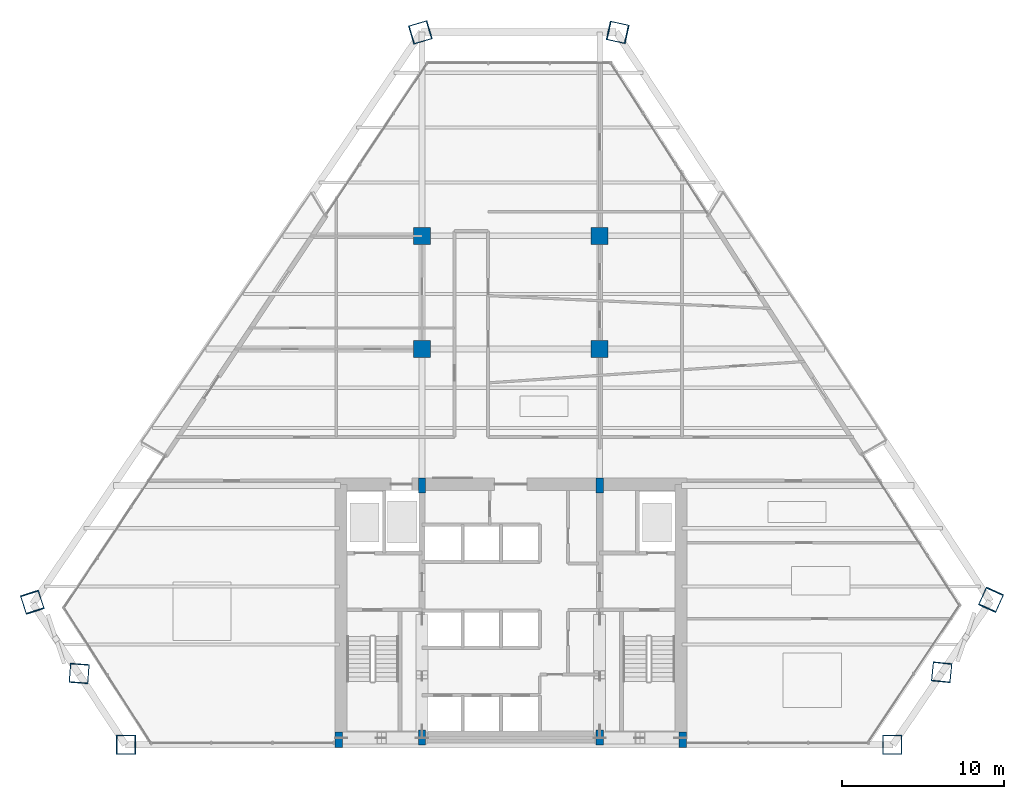
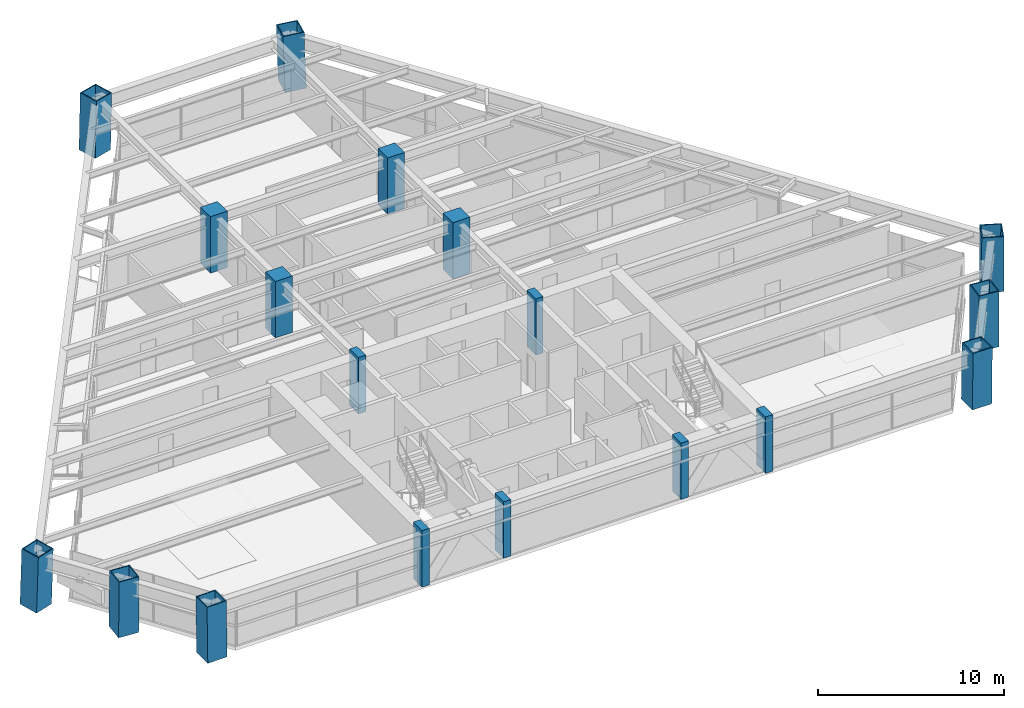
# One storey, part 1 of 15: 18 columns.
"""IFC4 building model written with IfcOpenShell, lengths in metres."""

from ifc_helpers import new_model, si_unit, direction, frame, origin, origin_2d, place, context, subcontext, project, spatial, rectangle, hollow_rectangle, extrude, source, transform, mapped, material, material_profile, profile_set, type_object, type_shapes, element, save


model = new_model("IFC4")

# Units and contexts
model_context = context("Model", 3, precision=1e-05, world=origin(), true_north=direction((0.0, 1.0)))
body_context = subcontext(model_context, "Body", "Model", "MODEL_VIEW")
ifc_project = project(units=[si_unit("LENGTHUNIT", "METRE"), si_unit("AREAUNIT", "SQUARE_METRE"), si_unit("VOLUMEUNIT", "CUBIC_METRE"), si_unit("PLANEANGLEUNIT", "RADIAN"), si_unit("MASSUNIT", "GRAM", prefix="KILO")], contexts=[model_context])

# Site, building, storey
site_placement = place(None, origin())
site = spatial("IfcSite", under=ifc_project, at=site_placement, CompositionType="ELEMENT")
building_placement = place(site_placement, origin())
building = spatial("IfcBuilding", under=site, at=building_placement, Name="Varnakhor Terracotta Tower", CompositionType="ELEMENT")
storey_placement = place(building_placement, frame((0.0, 0.0, 109.89990234375)))
storey = spatial("IfcBuildingStorey", under=building, at=storey_placement, Name="L27", CompositionType="ELEMENT", Elevation=109.89990234375)

# Columns
ifc_material_1 = material(Name="Concrete C50/60", Category="concrete")
ifc_material_profile_1 = material_profile(ifc_material_1, rectangle(XDim=0.449951171875, YDim=0.949951171875, at=origin_2d()), Name="RC PILASTER 950x450")
ifc_profile_set_1 = profile_set([ifc_material_profile_1], Name="Concrete C50/60")
column_type_1 = type_object("IfcColumnType", Name="COL-PIL-950x450", PredefinedType="PILASTER", material=ifc_profile_set_1)
shared_shape_1 = source(origin(), body_context, "Body", "SweptSolid", [
    extrude(rectangle(XDim=0.449951171875, YDim=0.949951171875, at=origin_2d()), origin(), (0.0, 0.0, 1.0), 3.7001953125),
])
for number, where, z_axis, x_axis, name in (
    (1, (-10.64990234375, 0.300048828125, 0.0), (0.0, 0.0, 1.0), (1.0, 0.0, 0.0), "L27 Core Pilaster CP1"),
    (2, (-5.5, 0.449951171875, 0.0), (0.0, 0.0, 1.0), (1.0, 0.0, 0.0), "L27 Core Pilaster CP2"),
    (3, (5.5, 0.449951171875, 0.0), (0.0, 0.0, 1.0), (1.0, 0.0, 0.0), "L27 Core Pilaster CP3"),
    (4, (10.64990234375, 0.300048828125, 0.0), (0.0, 0.0, 1.0), (1.0, 0.0, 0.0), "L27 Core Pilaster CP4"),
    (5, (-5.5, 16.050048828125, 0.0), (0.0, 0.0, 1.0), (1.0, 0.0, 0.0), "L27 Core Pilaster CP5"),
    (6, (5.5, 16.050048828125, 0.0), (0.0, 0.0, 1.0), (1.0, 0.0, 0.0), "L27 Core Pilaster CP6"),
):
    element("IfcColumn", number, at=place(storey_placement, frame(where, z_axis=z_axis, x_axis=x_axis)), inside=storey, type_object=column_type_1, Name=name, PredefinedType="PILASTER", context=body_context, shape_type="MappedRepresentation", body=[
        mapped(shared_shape_1, transform((0.0, 0.0, 0.0), scale=1.0)),
    ])
ifc_material_2 = material(Name="Concrete C60/75", Category="concrete")
ifc_material_profile_2 = material_profile(ifc_material_2, rectangle(XDim=1.050048828125, YDim=1.050048828125, at=origin_2d()), Name="RC 1050x1050")
ifc_profile_set_2 = profile_set([ifc_material_profile_2], Name="Concrete C60/75")
column_type_2 = type_object("IfcColumnType", Name="COL-RC-1050", PredefinedType="COLUMN", material=ifc_profile_set_2)
shared_shape_2 = source(origin(), body_context, "Body", "SweptSolid", [
    extrude(rectangle(XDim=1.050048828125, YDim=1.050048828125, at=origin_2d()), origin(), (0.0, 0.0, 1.0), 3.7001953125),
])
for number, where, z_axis, x_axis, name in (
    (7, (-5.5, 24.5, 0.0), (0.0, 0.0, 1.0), (1.0, 0.0, 0.0), "L27 Interior Tower Column IC1"),
    (8, (5.5, 24.5, 0.0), (0.0, 0.0, 1.0), (1.0, 0.0, 0.0), "L27 Interior Tower Column IC2"),
    (9, (-5.5, 31.5, 0.0), (0.0, 0.0, 1.0), (1.0, 0.0, 0.0), "L27 Interior Tower Column IC3"),
    (10, (5.5, 31.5, 0.0), (0.0, 0.0, 1.0), (1.0, 0.0, 0.0), "L27 Interior Tower Column IC4"),
):
    element("IfcColumn", number, at=place(storey_placement, frame(where, z_axis=z_axis, x_axis=x_axis)), inside=storey, type_object=column_type_2, Name=name, PredefinedType="COLUMN", context=body_context, shape_type="MappedRepresentation", body=[
        mapped(shared_shape_2, transform((0.0, 0.0, 0.0), scale=1.0)),
    ])
ifc_material_3 = material(Name="Steel S460", Category="steel")
ifc_material_profile_3 = material_profile(ifc_material_3, hollow_rectangle(XDim=1.199951171875, YDim=1.199951171875, WallThickness=0.06005859375, at=origin_2d()), Name="BOX 1200x1200x60")
ifc_profile_set_3 = profile_set([ifc_material_profile_3], Name="Steel S460")
column_type_3 = type_object("IfcColumnType", Name="COL-MEGA-1200", PredefinedType="COLUMN", material=ifc_profile_set_3)
shared_shape_3 = source(origin(), body_context, "Body", "SweptSolid", [
    extrude(hollow_rectangle(XDim=1.199951171875, YDim=1.199951171875, WallThickness=0.06005859375, at=origin_2d()), origin(), (0.0, 0.0, 1.0), 3.691650390625),
])
type_shapes(column_type_3, [shared_shape_3])
for number, where, z_axis, x_axis, name in (
    (11, (-23.811279296875, 0.0, 0.00439453125), (-0.013226356189, 0.0, 0.999912527925), (0.0, -1.0, 0.0), "L27 Perimeter Mega-Column M1"),
    (12, (23.609375, 0.0, 0.00439453125), (0.010978174373, 0.0, 0.999939738028), (0.0, 1.0, 0.0), "L27 Perimeter Mega-Column M2"),
):
    element("IfcColumn", number, at=place(storey_placement, frame(where, z_axis=z_axis, x_axis=x_axis)), inside=storey, type_object=column_type_3, Name=name, PredefinedType="COLUMN", context=body_context, shape_type="MappedRepresentation", body=[
        mapped(shared_shape_3, transform((0.0, 0.0, 0.0), scale=1.0)),
    ])
shared_shape_4 = source(origin(), body_context, "Body", "SweptSolid", [
    extrude(hollow_rectangle(XDim=1.199951171875, YDim=1.199951171875, WallThickness=0.06005859375, at=origin_2d()), origin(), (0.0, 0.0, 1.0), 3.693359375),
])
column_1_placement = place(storey_placement, frame((6.635986328125, 44.09326171875, 0.00439453125), z_axis=(-0.031267047962, 0.006808680634, 0.999487875654), x_axis=(-0.212772680671, -0.977101727744, 0.0)))
element("IfcColumn", 13, at=column_1_placement, inside=storey, type_object=column_type_3, Name="L27 Perimeter Mega-Column M5", PredefinedType="COLUMN", context=body_context, shape_type="MappedRepresentation", body=[
    mapped(shared_shape_4, transform((0.0, 0.0, 0.0), scale=1.0)),
])
shared_shape_5 = source(origin(), body_context, "Body", "SweptSolid", [
    extrude(hollow_rectangle(XDim=1.199951171875, YDim=1.199951171875, WallThickness=0.06005859375, at=origin_2d()), origin(), (0.0, 0.0, 1.0), 3.6923828125),
])
column_2_placement = place(storey_placement, frame((-5.615478515625, 44.09326171875, 0.00439453125), z_axis=(0.023009245742, 0.006810207792, 0.999712056384), x_axis=(-0.283806869877, 0.958881463274, 0.0)))
element("IfcColumn", 14, at=column_2_placement, inside=storey, type_object=column_type_3, Name="L27 Perimeter Mega-Column M6", PredefinedType="COLUMN", context=body_context, shape_type="MappedRepresentation", body=[
    mapped(shared_shape_5, transform((0.0, 0.0, 0.0), scale=1.0)),
])
shared_shape_6 = source(origin(), body_context, "Body", "SweptSolid", [
    extrude(hollow_rectangle(XDim=1.199951171875, YDim=1.199951171875, WallThickness=0.06005859375, at=origin_2d()), origin(), (0.0, 0.0, 1.0), 3.693603515625),
])
for number, where, z_axis, x_axis, name in (
    (15, (29.735107421875, 8.992431640625, 0.00439453125), (-0.014211100336, -0.031462715163, 0.999403893419), (0.911347431114, -0.411638020356, 0.0), "L27 Perimeter Mega-Column M4"),
    (16, (-29.6298828125, 8.841552734375, 0.00439453125), (0.010707747941, -0.033246896385, 0.99938980784), (0.951851199106, 0.306560425954, 0.0), "L27 Perimeter Mega-Column M7"),
):
    element("IfcColumn", number, at=place(storey_placement, frame(where, z_axis=z_axis, x_axis=x_axis)), inside=storey, type_object=column_type_3, Name=name, PredefinedType="COLUMN", context=body_context, shape_type="MappedRepresentation", body=[
        mapped(shared_shape_6, transform((0.0, 0.0, 0.0), scale=1.0)),
    ])
shared_shape_7 = source(origin(), body_context, "Body", "SweptSolid", [
    extrude(hollow_rectangle(XDim=1.199951171875, YDim=1.199951171875, WallThickness=0.06005859375, at=origin_2d()), origin(), (0.0, 0.0, 1.0), 3.69189453125),
])
for number, where, z_axis, x_axis, name in (
    (17, (26.672119140625, 4.49609375, 0.00439453125), (-0.001587102981, -0.015738771232, 0.999874878264), (0.994954064092, -0.100331502261, 0.0), "L27 Perimeter Mega-Column M3"),
    (18, (-26.720703125, 4.4208984375, 0.00439453125), (-0.001256438272, -0.016664339181, 0.99986035083), (0.997169720587, -0.075183431314, 0.0), "L27 Perimeter Mega-Column M8"),
):
    element("IfcColumn", number, at=place(storey_placement, frame(where, z_axis=z_axis, x_axis=x_axis)), inside=storey, type_object=column_type_3, Name=name, PredefinedType="COLUMN", context=body_context, shape_type="MappedRepresentation", body=[
        mapped(shared_shape_7, transform((0.0, 0.0, 0.0), scale=1.0)),
    ])

save(model, "model.ifc")
